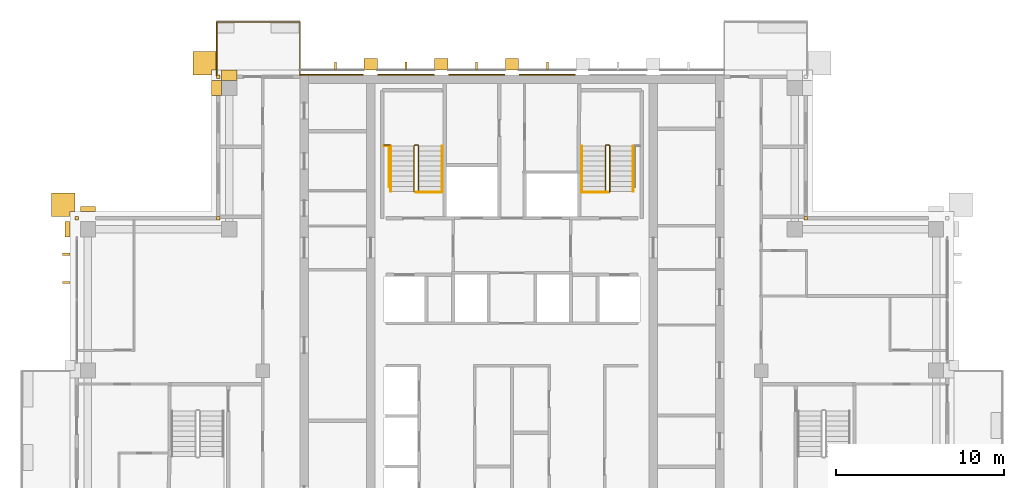
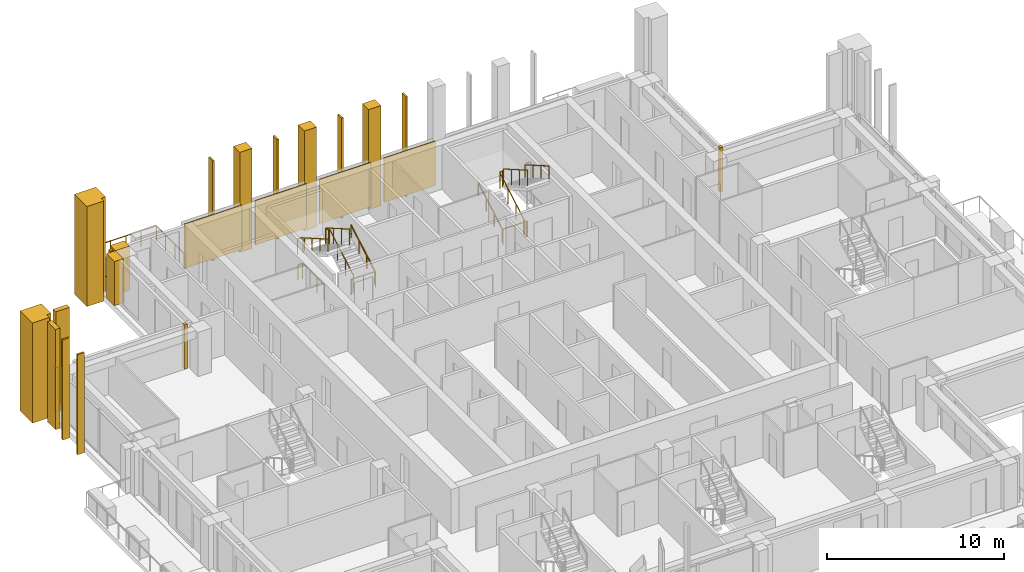
# One storey, part 17 of 18: 23 coverings, 11 railings.
"""IFC4 building model written with IfcOpenShell, lengths in metres."""

from ifc_helpers import new_model, si_unit, direction, frame, origin, origin_2d, place, context, subcontext, project, spatial, polyline, rectangle, outline, extrude, material, layer, layer_set, type_object, element, save


model = new_model("IFC4")

# Units and contexts
model_context = context("Model", 3, precision=1e-05, world=origin(), true_north=direction((0.0, 1.0)))
body_context = subcontext(model_context, "Body", "Model", "MODEL_VIEW")
ifc_project = project(units=[si_unit("LENGTHUNIT", "METRE"), si_unit("AREAUNIT", "SQUARE_METRE"), si_unit("VOLUMEUNIT", "CUBIC_METRE"), si_unit("PLANEANGLEUNIT", "RADIAN"), si_unit("MASSUNIT", "GRAM", prefix="KILO")], contexts=[model_context])

# Site, building, storey
site_placement = place(None, origin())
site = spatial("IfcSite", under=ifc_project, at=site_placement, CompositionType="ELEMENT")
building_placement = place(site_placement, origin())
building = spatial("IfcBuilding", under=site, at=building_placement, Name="Vermilion Ogive Tower", CompositionType="ELEMENT")
storey_placement = place(building_placement, frame((0.0, 0.0, 240.699951171875)))
storey = spatial("IfcBuildingStorey", under=building, at=storey_placement, Name="L63", CompositionType="ELEMENT", Elevation=240.699951171875)

# Railing
ifc_material_1 = material(Name="Stainless steel and glass", Category="steel")
railing_type_1 = type_object("IfcRailingType", Name="Balcony guard", PredefinedType="GUARDRAIL", material=ifc_material_1)
railing_1_placement = place(storey_placement, frame((-12.60009765625, 21.75, -0.0400390625)))
element("IfcRailing", 1, at=railing_1_placement, inside=storey, type_object=railing_type_1, Name="Guard N201", PredefinedType="GUARDRAIL", context=body_context, shape_type="SweptSolid", body=[
    extrude(rectangle(XDim=0.048095703125, YDim=0.048095703125, at=origin_2d()), frame((0.0, 0.0, 1.076171875), z_axis=(0.0, 1.0, 0.0), x_axis=(-1.0, 0.0, 0.0)), (0.0, 0.0, 1.0), 3.159912109375),
    extrude(rectangle(XDim=0.048095703125, YDim=0.048095703125, at=origin_2d()), frame((0.0, 3.159912109375, 1.076171875), z_axis=(-1.0, 0.0, 0.0), x_axis=(0.0, -1.0, 0.0)), (0.0, 0.0, 1.0), 4.949951171875),
    extrude(rectangle(XDim=0.048095703125, YDim=0.048095703125, at=origin_2d()), frame((-4.949951171875, 3.159912109375, 1.076171875), z_axis=(0.0, -1.0, 0.0), x_axis=(1.0, 0.0, 0.0)), (0.0, 0.0, 1.0), 3.159912109375),
    extrude(rectangle(XDim=0.0419921875, YDim=0.0419921875, at=origin_2d()), origin(), (0.0, 0.0, 1.0), 1.052001953125),
    extrude(rectangle(XDim=0.0419921875, YDim=0.0419921875, at=origin_2d()), frame((0.0, 1.05322265625, 0.0)), (0.0, 0.0, 1.0), 1.052001953125),
    extrude(rectangle(XDim=0.0419921875, YDim=0.0419921875, at=origin_2d()), frame((0.0, 2.106689453125, 0.0)), (0.0, 0.0, 1.0), 1.052001953125),
    extrude(rectangle(XDim=0.0419921875, YDim=0.0419921875, at=origin_2d()), frame((0.0, 3.159912109375, 0.0)), (0.0, 0.0, 1.0), 1.052001953125),
    extrude(rectangle(XDim=0.0419921875, YDim=0.0419921875, at=origin_2d()), frame((-0.989990234375, 3.159912109375, 0.0)), (0.0, 0.0, 1.0), 1.052001953125),
    extrude(rectangle(XDim=0.0419921875, YDim=0.0419921875, at=origin_2d()), frame((-1.97998046875, 3.159912109375, 0.0)), (0.0, 0.0, 1.0), 1.052001953125),
    extrude(rectangle(XDim=0.0419921875, YDim=0.0419921875, at=origin_2d()), frame((-2.969970703125, 3.159912109375, 0.0)), (0.0, 0.0, 1.0), 1.052001953125),
    extrude(rectangle(XDim=0.0419921875, YDim=0.0419921875, at=origin_2d()), frame((-3.9599609375, 3.159912109375, 0.0)), (0.0, 0.0, 1.0), 1.052001953125),
    extrude(rectangle(XDim=0.0419921875, YDim=0.0419921875, at=origin_2d()), frame((-4.949951171875, 3.159912109375, 0.0)), (0.0, 0.0, 1.0), 1.052001953125),
    extrude(rectangle(XDim=0.0419921875, YDim=0.0419921875, at=origin_2d()), frame((-4.949951171875, 2.106689453125, 0.0)), (0.0, 0.0, 1.0), 1.052001953125),
    extrude(rectangle(XDim=0.0419921875, YDim=0.0419921875, at=origin_2d()), frame((-4.949951171875, 1.05322265625, 0.0)), (0.0, 0.0, 1.0), 1.052001953125),
    extrude(rectangle(XDim=0.0419921875, YDim=0.0419921875, at=origin_2d()), frame((-4.949951171875, 0.0, 0.0)), (0.0, 0.0, 1.0), 1.052001953125),
])

# Coverings
ifc_material_2 = material(Name="Glazed ceramic screen")
ifc_layer = layer(ifc_material_2, 0.14990234375)
ifc_layer_set = layer_set([ifc_layer], Name="Ceramic solar screen fin")
covering_type_1 = type_object("IfcCoveringType", Name="Ceramic solar screen fin", PredefinedType="CLADDING", material=ifc_layer_set)
covering_1_placement = place(storey_placement, frame((0.0, 0.0, -0.39990234375)))
element("IfcCovering", 2, at=covering_1_placement, inside=storey, type_object=covering_type_1, Name="Solar screen blade W021", PredefinedType="CLADDING", context=body_context, shape_type="SweptSolid", body=[
    extrude(outline(polyline([(-26.699951171875, 11.172607421875), (-26.699951171875, 11.052490234375), (-26.25, 11.052490234375), (-26.25, 11.172607421875), (-26.699951171875, 11.172607421875)])), origin(), (0.0, 0.0, 1.0), 6.89990234375),
])
covering_2_placement = place(storey_placement, frame((0.0, 0.0, -0.39990234375)))
element("IfcCovering", 3, at=covering_2_placement, inside=storey, type_object=covering_type_1, Name="Solar screen blade W022", PredefinedType="CLADDING", context=body_context, shape_type="SweptSolid", body=[
    extrude(outline(polyline([(-26.699951171875, 9.49755859375), (-26.699951171875, 9.37744140625), (-26.25, 9.37744140625), (-26.25, 9.49755859375), (-26.699951171875, 9.49755859375)])), origin(), (0.0, 0.0, 1.0), 6.89990234375),
])
covering_3_placement = place(storey_placement, frame((0.0, 0.0, -0.39990234375)))
element("IfcCovering", 4, at=covering_3_placement, inside=storey, type_object=covering_type_1, Name="Solar screen blade N1", PredefinedType="CLADDING", context=body_context, shape_type="SweptSolid", body=[
    extrude(outline(polyline([(-10.56005859375, 22.08203125), (-10.43994140625, 22.08203125), (-10.43994140625, 22.531982421875), (-10.56005859375, 22.531982421875), (-10.56005859375, 22.08203125)])), origin(), (0.0, 0.0, 1.0), 6.89990234375),
])
covering_4_placement = place(storey_placement, frame((0.0, 0.0, -0.39990234375)))
element("IfcCovering", 5, at=covering_4_placement, inside=storey, type_object=covering_type_1, Name="Solar screen blade N2", PredefinedType="CLADDING", context=body_context, shape_type="SweptSolid", body=[
    extrude(outline(polyline([(-6.360107421875, 22.08203125), (-6.239990234375, 22.08203125), (-6.239990234375, 22.531982421875), (-6.360107421875, 22.531982421875), (-6.360107421875, 22.08203125)])), origin(), (0.0, 0.0, 1.0), 6.89990234375),
])
covering_5_placement = place(storey_placement, frame((0.0, 0.0, -0.39990234375)))
element("IfcCovering", 6, at=covering_5_placement, inside=storey, type_object=covering_type_1, Name="Solar screen blade N3", PredefinedType="CLADDING", context=body_context, shape_type="SweptSolid", body=[
    extrude(outline(polyline([(-2.159912109375, 22.08203125), (-2.0400390625, 22.08203125), (-2.0400390625, 22.531982421875), (-2.159912109375, 22.531982421875), (-2.159912109375, 22.08203125)])), origin(), (0.0, 0.0, 1.0), 6.89990234375),
])
covering_6_placement = place(storey_placement, frame((0.0, 0.0, -0.39990234375)))
element("IfcCovering", 7, at=covering_6_placement, inside=storey, type_object=covering_type_1, Name="Solar screen blade N4", PredefinedType="CLADDING", context=body_context, shape_type="SweptSolid", body=[
    extrude(outline(polyline([(2.0400390625, 22.08203125), (2.159912109375, 22.08203125), (2.159912109375, 22.531982421875), (2.0400390625, 22.531982421875), (2.0400390625, 22.08203125)])), origin(), (0.0, 0.0, 1.0), 6.89990234375),
])

# Railings
ifc_material_3 = material(Name="Steel S355 painted", Category="steel")
railing_type_2 = type_object("IfcRailingType", Name="Stair guard 1100", PredefinedType="GUARDRAIL", material=ifc_material_3)
railing_2_placement = place(storey_placement, frame((-5.75, 14.800048828125, 0.0)))
element("IfcRailing", 8, at=railing_2_placement, inside=storey, type_object=railing_type_2, Name="L63 ST1 stair guard 4", PredefinedType="GUARDRAIL", context=body_context, shape_type="SweptSolid", body=[
    extrude(rectangle(XDim=0.048095703125, YDim=0.048095703125, at=origin_2d()), frame((0.0, 0.0, 1.076171875), z_axis=(1.0, 0.0, 0.0), x_axis=(0.0, 1.0, 0.0)), (0.0, 0.0, 1.0), 0.14990234375),
    extrude(rectangle(XDim=0.048095703125, YDim=0.048095703125, at=origin_2d()), frame((0.14990234375, 0.0, 1.076171875), z_axis=(0.268277960024, 0.268277960024, 0.925231793839), x_axis=(-0.707106781187, 0.707106781187, 0.0)), (0.0, 0.0, 1.0), 0.1865234375),
    extrude(rectangle(XDim=0.048095703125, YDim=0.048095703125, at=origin_2d()), frame((0.199951171875, 0.050048828125, 1.24853515625), z_axis=(0.0, 0.866903762492, 0.498475542607), x_axis=(-1.0, 0.0, 0.0)), (0.0, 0.0, 1.0), 3.114501953125),
    extrude(rectangle(XDim=0.048095703125, YDim=0.048095703125, at=origin_2d()), frame((0.199951171875, 2.75, 2.80126953125), z_axis=(-0.707106781187, 0.707106781187, 0.0), x_axis=(-0.707106781187, -0.707106781187, 0.0)), (0.0, 0.0, 1.0), 0.07080078125),
    extrude(rectangle(XDim=0.048095703125, YDim=0.048095703125, at=origin_2d()), frame((0.14990234375, 2.800048828125, 2.80126953125), z_axis=(-1.0, 0.0, 0.0), x_axis=(0.0, -1.0, 0.0)), (0.0, 0.0, 1.0), 0.14990234375),
    extrude(rectangle(XDim=0.048095703125, YDim=0.048095703125, at=origin_2d()), frame((0.0, 2.800048828125, 2.80126953125), z_axis=(-0.268603158521, -0.268603158521, 0.925043072762), x_axis=(0.707106781187, -0.707106781187, 0.0)), (0.0, 0.0, 1.0), 0.186279296875),
    extrude(rectangle(XDim=0.048095703125, YDim=0.048095703125, at=origin_2d()), frame((-0.050048828125, 2.75, 2.9736328125), z_axis=(0.0, -0.866903762492, 0.498475542607), x_axis=(1.0, 0.0, 0.0)), (0.0, 0.0, 1.0), 3.114501953125),
    extrude(rectangle(XDim=0.0419921875, YDim=0.0419921875, at=origin_2d()), origin(), (0.0, 0.0, 1.0), 1.052001953125),
    extrude(rectangle(XDim=0.0419921875, YDim=0.0419921875, at=origin_2d()), frame((0.14990234375, 0.0, 0.0)), (0.0, 0.0, 1.0), 1.052001953125),
    extrude(rectangle(XDim=0.0419921875, YDim=0.0419921875, at=origin_2d()), frame((0.199951171875, 0.050048828125, 0.172607421875)), (0.0, 0.0, 1.0), 1.052001953125),
    extrude(rectangle(XDim=0.0419921875, YDim=0.0419921875, at=origin_2d()), frame((0.199951171875, 0.949951171875, 0.690185546875)), (0.0, 0.0, 1.0), 1.052001953125),
    extrude(rectangle(XDim=0.0419921875, YDim=0.0419921875, at=origin_2d()), frame((0.199951171875, 1.85009765625, 1.20751953125)), (0.0, 0.0, 1.0), 1.052001953125),
    extrude(rectangle(XDim=0.0419921875, YDim=0.0419921875, at=origin_2d()), frame((0.199951171875, 2.75, 1.72509765625)), (0.0, 0.0, 1.0), 1.052001953125),
    extrude(rectangle(XDim=0.0419921875, YDim=0.0419921875, at=origin_2d()), frame((0.14990234375, 2.800048828125, 1.72509765625)), (0.0, 0.0, 1.0), 1.052001953125),
    extrude(rectangle(XDim=0.0419921875, YDim=0.0419921875, at=origin_2d()), frame((0.0, 2.800048828125, 1.72509765625)), (0.0, 0.0, 1.0), 1.052001953125),
    extrude(rectangle(XDim=0.0419921875, YDim=0.0419921875, at=origin_2d()), frame((-0.050048828125, 2.75, 1.8974609375)), (0.0, 0.0, 1.0), 1.052001953125),
    extrude(rectangle(XDim=0.0419921875, YDim=0.0419921875, at=origin_2d()), frame((-0.050048828125, 1.85009765625, 2.4150390625)), (0.0, 0.0, 1.0), 1.052001953125),
    extrude(rectangle(XDim=0.0419921875, YDim=0.0419921875, at=origin_2d()), frame((-0.050048828125, 0.949951171875, 2.932373046875)), (0.0, 0.0, 1.0), 1.052001953125),
    extrude(rectangle(XDim=0.0419921875, YDim=0.0419921875, at=origin_2d()), frame((-0.050048828125, 0.050048828125, 3.449951171875)), (0.0, 0.0, 1.0), 1.052001953125),
])
railing_3_placement = place(storey_placement, frame((5.75, 14.800048828125, 0.0)))
element("IfcRailing", 9, at=railing_3_placement, inside=storey, type_object=railing_type_2, Name="L63 ST2 stair guard 4", PredefinedType="GUARDRAIL", context=body_context, shape_type="SweptSolid", body=[
    extrude(rectangle(XDim=0.048095703125, YDim=0.048095703125, at=origin_2d()), frame((0.0, 0.0, 1.076171875), z_axis=(-1.0, 0.0, 0.0), x_axis=(0.0, -1.0, 0.0)), (0.0, 0.0, 1.0), 0.14990234375),
    extrude(rectangle(XDim=0.048095703125, YDim=0.048095703125, at=origin_2d()), frame((-0.14990234375, 0.0, 1.076171875), z_axis=(-0.268277960024, 0.268277960024, 0.925231793839), x_axis=(-0.707106781187, -0.707106781187, 0.0)), (0.0, 0.0, 1.0), 0.1865234375),
    extrude(rectangle(XDim=0.048095703125, YDim=0.048095703125, at=origin_2d()), frame((-0.199951171875, 0.050048828125, 1.24853515625), z_axis=(0.0, 0.866903762492, 0.498475542607), x_axis=(-1.0, 0.0, 0.0)), (0.0, 0.0, 1.0), 3.114501953125),
    extrude(rectangle(XDim=0.048095703125, YDim=0.048095703125, at=origin_2d()), frame((-0.199951171875, 2.75, 2.80126953125), z_axis=(0.707106781187, 0.707106781187, 0.0), x_axis=(-0.707106781187, 0.707106781187, 0.0)), (0.0, 0.0, 1.0), 0.07080078125),
    extrude(rectangle(XDim=0.048095703125, YDim=0.048095703125, at=origin_2d()), frame((-0.14990234375, 2.800048828125, 2.80126953125), z_axis=(1.0, 0.0, 0.0), x_axis=(0.0, 1.0, 0.0)), (0.0, 0.0, 1.0), 0.14990234375),
    extrude(rectangle(XDim=0.048095703125, YDim=0.048095703125, at=origin_2d()), frame((0.0, 2.800048828125, 2.80126953125), z_axis=(0.268603158521, -0.268603158521, 0.925043072762), x_axis=(0.707106781187, 0.707106781187, 0.0)), (0.0, 0.0, 1.0), 0.186279296875),
    extrude(rectangle(XDim=0.048095703125, YDim=0.048095703125, at=origin_2d()), frame((0.050048828125, 2.75, 2.9736328125), z_axis=(0.0, -0.866903762492, 0.498475542607), x_axis=(1.0, 0.0, 0.0)), (0.0, 0.0, 1.0), 3.114501953125),
    extrude(rectangle(XDim=0.0419921875, YDim=0.0419921875, at=origin_2d()), origin(), (0.0, 0.0, 1.0), 1.052001953125),
    extrude(rectangle(XDim=0.0419921875, YDim=0.0419921875, at=origin_2d()), frame((-0.14990234375, 0.0, 0.0)), (0.0, 0.0, 1.0), 1.052001953125),
    extrude(rectangle(XDim=0.0419921875, YDim=0.0419921875, at=origin_2d()), frame((-0.199951171875, 0.050048828125, 0.172607421875)), (0.0, 0.0, 1.0), 1.052001953125),
    extrude(rectangle(XDim=0.0419921875, YDim=0.0419921875, at=origin_2d()), frame((-0.199951171875, 0.949951171875, 0.690185546875)), (0.0, 0.0, 1.0), 1.052001953125),
    extrude(rectangle(XDim=0.0419921875, YDim=0.0419921875, at=origin_2d()), frame((-0.199951171875, 1.85009765625, 1.20751953125)), (0.0, 0.0, 1.0), 1.052001953125),
    extrude(rectangle(XDim=0.0419921875, YDim=0.0419921875, at=origin_2d()), frame((-0.199951171875, 2.75, 1.72509765625)), (0.0, 0.0, 1.0), 1.052001953125),
    extrude(rectangle(XDim=0.0419921875, YDim=0.0419921875, at=origin_2d()), frame((-0.14990234375, 2.800048828125, 1.72509765625)), (0.0, 0.0, 1.0), 1.052001953125),
    extrude(rectangle(XDim=0.0419921875, YDim=0.0419921875, at=origin_2d()), frame((0.0, 2.800048828125, 1.72509765625)), (0.0, 0.0, 1.0), 1.052001953125),
    extrude(rectangle(XDim=0.0419921875, YDim=0.0419921875, at=origin_2d()), frame((0.050048828125, 2.75, 1.8974609375)), (0.0, 0.0, 1.0), 1.052001953125),
    extrude(rectangle(XDim=0.0419921875, YDim=0.0419921875, at=origin_2d()), frame((0.050048828125, 1.85009765625, 2.4150390625)), (0.0, 0.0, 1.0), 1.052001953125),
    extrude(rectangle(XDim=0.0419921875, YDim=0.0419921875, at=origin_2d()), frame((0.050048828125, 0.949951171875, 2.932373046875)), (0.0, 0.0, 1.0), 1.052001953125),
    extrude(rectangle(XDim=0.0419921875, YDim=0.0419921875, at=origin_2d()), frame((0.050048828125, 0.050048828125, 3.449951171875)), (0.0, 0.0, 1.0), 1.052001953125),
])
railing_4_placement = place(storey_placement, frame((-7.60009765625, 17.60009765625, 1.72509765625)))
element("IfcRailing", 10, at=railing_4_placement, inside=storey, type_object=railing_type_2, Name="L63 landing guard", PredefinedType="GUARDRAIL", context=body_context, shape_type="SweptSolid", body=[
    extrude(rectangle(XDim=0.048095703125, YDim=0.048095703125, at=origin_2d()), frame((0.0, 0.0, 1.076171875), z_axis=(1.0, 0.0, 0.0), x_axis=(0.0, 1.0, 0.0)), (0.0, 0.0, 1.0), 0.35009765625),
    extrude(rectangle(XDim=0.0419921875, YDim=0.0419921875, at=origin_2d()), origin(), (0.0, 0.0, 1.0), 1.052001953125),
    extrude(rectangle(XDim=0.0419921875, YDim=0.0419921875, at=origin_2d()), frame((0.35009765625, 0.0, 0.0)), (0.0, 0.0, 1.0), 1.052001953125),
])
railing_5_placement = place(storey_placement, frame((-4.159912109375, 14.7900390625, 0.0)))
element("IfcRailing", 11, at=railing_5_placement, inside=storey, type_object=railing_type_2, Name="L63 stair opening guard", PredefinedType="GUARDRAIL", context=body_context, shape_type="SweptSolid", body=[
    extrude(rectangle(XDim=0.048095703125, YDim=0.048095703125, at=origin_2d()), frame((0.0, 0.0, 1.076171875), z_axis=(-1.0, 0.0, 0.0), x_axis=(0.0, -1.0, 0.0)), (0.0, 0.0, 1.0), 1.5400390625),
    extrude(rectangle(XDim=0.0419921875, YDim=0.0419921875, at=origin_2d()), origin(), (0.0, 0.0, 1.0), 1.052001953125),
    extrude(rectangle(XDim=0.0419921875, YDim=0.0419921875, at=origin_2d()), frame((-0.77001953125, 0.0, 0.0)), (0.0, 0.0, 1.0), 1.052001953125),
    extrude(rectangle(XDim=0.0419921875, YDim=0.0419921875, at=origin_2d()), frame((-1.5400390625, 0.0, 0.0)), (0.0, 0.0, 1.0), 1.052001953125),
])
railing_6_placement = place(storey_placement, frame((-7.3095703125, 15.11865234375, 0.0)))
element("IfcRailing", 12, at=railing_6_placement, inside=storey, type_object=railing_type_2, Name="L63 stair opening guard", PredefinedType="GUARDRAIL", context=body_context, shape_type="SweptSolid", body=[
    extrude(rectangle(XDim=0.048095703125, YDim=0.048095703125, at=origin_2d()), frame((0.0, 0.0, 1.076171875), z_axis=(0.0, 1.0, 0.0), x_axis=(-1.0, 0.0, 0.0)), (0.0, 0.0, 1.0), 2.42431640625),
    extrude(rectangle(XDim=0.048095703125, YDim=0.048095703125, at=origin_2d()), frame((0.0, 2.42431640625, 1.076171875), z_axis=(-1.0, 0.0, 0.0), x_axis=(0.0, -1.0, 0.0)), (0.0, 0.0, 1.0), 0.2900390625),
    extrude(rectangle(XDim=0.0419921875, YDim=0.0419921875, at=origin_2d()), origin(), (0.0, 0.0, 1.0), 1.052001953125),
    extrude(rectangle(XDim=0.0419921875, YDim=0.0419921875, at=origin_2d()), frame((0.0, 0.80810546875, 0.0)), (0.0, 0.0, 1.0), 1.052001953125),
    extrude(rectangle(XDim=0.0419921875, YDim=0.0419921875, at=origin_2d()), frame((0.0, 1.6162109375, 0.0)), (0.0, 0.0, 1.0), 1.052001953125),
    extrude(rectangle(XDim=0.0419921875, YDim=0.0419921875, at=origin_2d()), frame((0.0, 2.42431640625, 0.0)), (0.0, 0.0, 1.0), 1.052001953125),
    extrude(rectangle(XDim=0.0419921875, YDim=0.0419921875, at=origin_2d()), frame((-0.2900390625, 2.42431640625, 0.0)), (0.0, 0.0, 1.0), 1.052001953125),
])
railing_7_placement = place(storey_placement, frame((5.699951171875, 14.7900390625, 0.0)))
element("IfcRailing", 13, at=railing_7_placement, inside=storey, type_object=railing_type_2, Name="L63 stair opening guard", PredefinedType="GUARDRAIL", context=body_context, shape_type="SweptSolid", body=[
    extrude(rectangle(XDim=0.048095703125, YDim=0.048095703125, at=origin_2d()), frame((0.0, 0.0, 1.076171875), z_axis=(-1.0, 0.0, 0.0), x_axis=(0.0, -1.0, 0.0)), (0.0, 0.0, 1.0), 1.5400390625),
    extrude(rectangle(XDim=0.0419921875, YDim=0.0419921875, at=origin_2d()), origin(), (0.0, 0.0, 1.0), 1.052001953125),
    extrude(rectangle(XDim=0.0419921875, YDim=0.0419921875, at=origin_2d()), frame((-0.77001953125, 0.0, 0.0)), (0.0, 0.0, 1.0), 1.052001953125),
    extrude(rectangle(XDim=0.0419921875, YDim=0.0419921875, at=origin_2d()), frame((-1.5400390625, 0.0, 0.0)), (0.0, 0.0, 1.0), 1.052001953125),
])
ifc_material_4 = material(Name="Stainless steel", Category="steel")
railing_type_3 = type_object("IfcRailingType", Name="Stair handrail 900", PredefinedType="HANDRAIL", material=ifc_material_4)
railing_8_placement = place(storey_placement, frame((-4.14990234375, 14.85009765625, 0.172607421875)))
element("IfcRailing", 14, at=railing_8_placement, inside=storey, type_object=railing_type_3, Name="L63 ST1 stair handrail 1", PredefinedType="HANDRAIL", context=body_context, shape_type="SweptSolid", body=[
    extrude(rectangle(XDim=0.048095703125, YDim=0.048095703125, at=origin_2d()), frame((0.0, 0.0, 0.8759765625), z_axis=(0.0, 0.866903762492, 0.498475542607), x_axis=(-1.0, 0.0, 0.0)), (0.0, 0.0, 1.0), 3.114501953125),
    extrude(rectangle(XDim=0.0419921875, YDim=0.0419921875, at=origin_2d()), origin(), (0.0, 0.0, 1.0), 0.851806640625),
    extrude(rectangle(XDim=0.0419921875, YDim=0.0419921875, at=origin_2d()), frame((0.0, 0.89990234375, 0.517578125)), (0.0, 0.0, 1.0), 0.851806640625),
    extrude(rectangle(XDim=0.0419921875, YDim=0.0419921875, at=origin_2d()), frame((0.0, 1.800048828125, 1.034912109375)), (0.0, 0.0, 1.0), 0.851806640625),
    extrude(rectangle(XDim=0.0419921875, YDim=0.0419921875, at=origin_2d()), frame((0.0, 2.699951171875, 1.552490234375)), (0.0, 0.0, 1.0), 0.851806640625),
])
railing_9_placement = place(storey_placement, frame((-7.199951171875, 17.550048828125, 1.8974609375)))
element("IfcRailing", 15, at=railing_9_placement, inside=storey, type_object=railing_type_3, Name="L63 ST1 stair handrail 2", PredefinedType="HANDRAIL", context=body_context, shape_type="SweptSolid", body=[
    extrude(rectangle(XDim=0.048095703125, YDim=0.048095703125, at=origin_2d()), frame((0.0, 0.0, 0.8759765625), z_axis=(0.0, -0.866903762492, 0.498475542607), x_axis=(1.0, 0.0, 0.0)), (0.0, 0.0, 1.0), 3.114501953125),
    extrude(rectangle(XDim=0.0419921875, YDim=0.0419921875, at=origin_2d()), origin(), (0.0, 0.0, 1.0), 0.851806640625),
    extrude(rectangle(XDim=0.0419921875, YDim=0.0419921875, at=origin_2d()), frame((0.0, -0.89990234375, 0.517578125)), (0.0, 0.0, 1.0), 0.851806640625),
    extrude(rectangle(XDim=0.0419921875, YDim=0.0419921875, at=origin_2d()), frame((0.0, -1.800048828125, 1.034912109375)), (0.0, 0.0, 1.0), 0.851806640625),
    extrude(rectangle(XDim=0.0419921875, YDim=0.0419921875, at=origin_2d()), frame((0.0, -2.699951171875, 1.552490234375)), (0.0, 0.0, 1.0), 0.851806640625),
])
railing_10_placement = place(storey_placement, frame((4.14990234375, 14.85009765625, 0.172607421875)))
element("IfcRailing", 16, at=railing_10_placement, inside=storey, type_object=railing_type_3, Name="L63 ST2 stair handrail 1", PredefinedType="HANDRAIL", context=body_context, shape_type="SweptSolid", body=[
    extrude(rectangle(XDim=0.048095703125, YDim=0.048095703125, at=origin_2d()), frame((0.0, 0.0, 0.8759765625), z_axis=(0.0, 0.866903762492, 0.498475542607), x_axis=(-1.0, 0.0, 0.0)), (0.0, 0.0, 1.0), 3.114501953125),
    extrude(rectangle(XDim=0.0419921875, YDim=0.0419921875, at=origin_2d()), origin(), (0.0, 0.0, 1.0), 0.851806640625),
    extrude(rectangle(XDim=0.0419921875, YDim=0.0419921875, at=origin_2d()), frame((0.0, 0.89990234375, 0.517578125)), (0.0, 0.0, 1.0), 0.851806640625),
    extrude(rectangle(XDim=0.0419921875, YDim=0.0419921875, at=origin_2d()), frame((0.0, 1.800048828125, 1.034912109375)), (0.0, 0.0, 1.0), 0.851806640625),
    extrude(rectangle(XDim=0.0419921875, YDim=0.0419921875, at=origin_2d()), frame((0.0, 2.699951171875, 1.552490234375)), (0.0, 0.0, 1.0), 0.851806640625),
])
railing_11_placement = place(storey_placement, frame((7.199951171875, 17.550048828125, 1.8974609375)))
element("IfcRailing", 17, at=railing_11_placement, inside=storey, type_object=railing_type_3, Name="L63 ST2 stair handrail 2", PredefinedType="HANDRAIL", context=body_context, shape_type="SweptSolid", body=[
    extrude(rectangle(XDim=0.048095703125, YDim=0.048095703125, at=origin_2d()), frame((0.0, 0.0, 0.8759765625), z_axis=(0.0, -0.866903762492, 0.498475542607), x_axis=(1.0, 0.0, 0.0)), (0.0, 0.0, 1.0), 3.114501953125),
    extrude(rectangle(XDim=0.0419921875, YDim=0.0419921875, at=origin_2d()), origin(), (0.0, 0.0, 1.0), 0.851806640625),
    extrude(rectangle(XDim=0.0419921875, YDim=0.0419921875, at=origin_2d()), frame((0.0, -0.89990234375, 0.517578125)), (0.0, 0.0, 1.0), 0.851806640625),
    extrude(rectangle(XDim=0.0419921875, YDim=0.0419921875, at=origin_2d()), frame((0.0, -1.800048828125, 1.034912109375)), (0.0, 0.0, 1.0), 0.851806640625),
    extrude(rectangle(XDim=0.0419921875, YDim=0.0419921875, at=origin_2d()), frame((0.0, -2.699951171875, 1.552490234375)), (0.0, 0.0, 1.0), 0.851806640625),
])

# Coverings
ifc_material_5 = material(Name="Stone cladding", Category="masonry")
covering_type_2 = type_object("IfcCoveringType", Name="Stone buttress pier", PredefinedType="CLADDING", material=ifc_material_5)
covering_7_placement = place(storey_placement, frame((0.0, 0.0, -0.39990234375)))
element("IfcCovering", 18, at=covering_7_placement, inside=storey, type_object=covering_type_2, Name="Stone buttress pier N1", PredefinedType="CLADDING", context=body_context, shape_type="SweptSolid", body=[
    extrude(outline(polyline([(-8.0, 22.75), (-8.0, 22.050048828125), (-8.800048828125, 22.050048828125), (-8.800048828125, 22.75), (-8.0, 22.75)])), origin(), (0.0, 0.0, 1.0), 6.89990234375),
])
covering_8_placement = place(storey_placement, frame((0.0, 0.0, -0.39990234375)))
element("IfcCovering", 19, at=covering_8_placement, inside=storey, type_object=covering_type_2, Name="Stone buttress pier N2", PredefinedType="CLADDING", context=body_context, shape_type="SweptSolid", body=[
    extrude(outline(polyline([(-3.800048828125, 22.75), (-3.800048828125, 22.050048828125), (-4.60009765625, 22.050048828125), (-4.60009765625, 22.75), (-3.800048828125, 22.75)])), origin(), (0.0, 0.0, 1.0), 6.89990234375),
])
covering_9_placement = place(storey_placement, frame((0.0, 0.0, -0.39990234375)))
element("IfcCovering", 20, at=covering_9_placement, inside=storey, type_object=covering_type_2, Name="Stone buttress pier N3", PredefinedType="CLADDING", context=body_context, shape_type="SweptSolid", body=[
    extrude(outline(polyline([(0.39990234375, 22.75), (0.39990234375, 22.050048828125), (-0.39990234375, 22.050048828125), (-0.39990234375, 22.75), (0.39990234375, 22.75)])), origin(), (0.0, 0.0, 1.0), 6.89990234375),
])
ifc_material_6 = material(Name="Stone cladding", Category="masonry")
covering_type_3 = type_object("IfcCoveringType", Name="Stone cladding panel", PredefinedType="CLADDING", material=ifc_material_6)
covering_10_placement = place(storey_placement, origin())
element("IfcCovering", 21, at=covering_10_placement, inside=storey, type_object=covering_type_3, Name="Stone cladding panel N1", PredefinedType="CLADDING", context=body_context, shape_type="SweptSolid", body=[
    extrude(outline(polyline([(-12.590087890625, 21.75), (-8.830078125, 21.75), (-8.830078125, 21.81005859375), (-12.590087890625, 21.81005859375), (-12.590087890625, 21.75)])), origin(), (0.0, 0.0, 1.0), 3.050048828125),
])
covering_11_placement = place(storey_placement, origin())
element("IfcCovering", 22, at=covering_11_placement, inside=storey, type_object=covering_type_3, Name="Stone cladding panel N2", PredefinedType="CLADDING", context=body_context, shape_type="SweptSolid", body=[
    extrude(outline(polyline([(-7.969970703125, 21.75), (-4.6298828125, 21.75), (-4.6298828125, 21.81005859375), (-7.969970703125, 21.81005859375), (-7.969970703125, 21.75)])), origin(), (0.0, 0.0, 1.0), 3.050048828125),
])
covering_12_placement = place(storey_placement, origin())
element("IfcCovering", 23, at=covering_12_placement, inside=storey, type_object=covering_type_3, Name="Stone cladding panel N3", PredefinedType="CLADDING", context=body_context, shape_type="SweptSolid", body=[
    extrude(outline(polyline([(-3.77001953125, 21.75), (-0.429931640625, 21.75), (-0.429931640625, 21.81005859375), (-3.77001953125, 21.81005859375), (-3.77001953125, 21.75)])), origin(), (0.0, 0.0, 1.0), 3.050048828125),
])
covering_13_placement = place(storey_placement, origin())
element("IfcCovering", 24, at=covering_13_placement, inside=storey, type_object=covering_type_3, Name="Stone cladding panel N4", PredefinedType="CLADDING", context=body_context, shape_type="SweptSolid", body=[
    extrude(outline(polyline([(0.429931640625, 21.75), (3.77001953125, 21.75), (3.77001953125, 21.81005859375), (0.429931640625, 21.81005859375), (0.429931640625, 21.75)])), origin(), (0.0, 0.0, 1.0), 3.050048828125),
])
ifc_material_7 = material(Name="Stone cladding", Category="masonry")
covering_type_4 = type_object("IfcCoveringType", Name="Stone corner buttress", PredefinedType="CLADDING", material=ifc_material_7)
covering_14_placement = place(storey_placement, frame((0.0, 0.0, -0.39990234375)))
element("IfcCovering", 25, at=covering_14_placement, inside=storey, type_object=covering_type_4, Name="Stone corner buttress X51", PredefinedType="CLADDING", context=body_context, shape_type="SweptSolid", body=[
    extrude(outline(polyline([(-17.550048828125, 23.14990234375), (-17.550048828125, 22.050048828125), (-17.85009765625, 22.050048828125), (-17.85009765625, 21.75), (-18.949951171875, 21.75), (-18.949951171875, 23.14990234375), (-17.550048828125, 23.14990234375)])), origin(), (0.0, 0.0, 1.0), 6.89990234375),
])
covering_15_placement = place(storey_placement, frame((0.0, 0.0, -0.39990234375)))
element("IfcCovering", 26, at=covering_15_placement, inside=storey, type_object=covering_type_4, Name="Stone corner buttress W1", PredefinedType="CLADDING", context=body_context, shape_type="SweptSolid", body=[
    extrude(outline(polyline([(-25.949951171875, 13.64990234375), (-26.25, 13.64990234375), (-26.25, 13.35009765625), (-27.35009765625, 13.35009765625), (-27.35009765625, 14.75), (-25.949951171875, 14.75), (-25.949951171875, 13.64990234375)])), origin(), (0.0, 0.0, 1.0), 6.89990234375),
])
ifc_material_8 = material(Name="Stone cladding", Category="masonry")
covering_type_5 = type_object("IfcCoveringType", Name="Stone pier", PredefinedType="CLADDING", material=ifc_material_8)
covering_16_placement = place(storey_placement, origin())
element("IfcCovering", 27, at=covering_16_placement, inside=storey, type_object=covering_type_5, Name="Stone corner pier X3E1", PredefinedType="CLADDING", context=body_context, shape_type="SweptSolid", body=[
    extrude(outline(polyline([(17.35009765625, 13.14990234375), (17.35009765625, 13.35009765625), (17.550048828125, 13.35009765625), (17.550048828125, 13.14990234375), (17.35009765625, 13.14990234375)])), origin(), (0.0, 0.0, 1.0), 3.050048828125),
])
covering_17_placement = place(storey_placement, origin())
element("IfcCovering", 28, at=covering_17_placement, inside=storey, type_object=covering_type_5, Name="Stone corner pier N2E1", PredefinedType="CLADDING", context=body_context, shape_type="SweptSolid", body=[
    extrude(outline(polyline([(-17.35009765625, 21.550048828125), (-17.550048828125, 21.550048828125), (-17.550048828125, 21.75), (-17.35009765625, 21.75), (-17.35009765625, 21.550048828125)])), origin(), (0.0, 0.0, 1.0), 3.050048828125),
])
covering_18_placement = place(storey_placement, origin())
element("IfcCovering", 29, at=covering_18_placement, inside=storey, type_object=covering_type_5, Name="Stone corner pier X5E1", PredefinedType="CLADDING", context=body_context, shape_type="SweptSolid", body=[
    extrude(outline(polyline([(-17.35009765625, 13.14990234375), (-17.550048828125, 13.14990234375), (-17.550048828125, 13.35009765625), (-17.35009765625, 13.35009765625), (-17.35009765625, 13.14990234375)])), origin(), (0.0, 0.0, 1.0), 3.050048828125),
])
covering_19_placement = place(storey_placement, origin())
element("IfcCovering", 30, at=covering_19_placement, inside=storey, type_object=covering_type_5, Name="Stone corner pier X6E1", PredefinedType="CLADDING", context=body_context, shape_type="SweptSolid", body=[
    extrude(outline(polyline([(-25.75, 13.14990234375), (-25.949951171875, 13.14990234375), (-25.949951171875, 13.35009765625), (-25.75, 13.35009765625), (-25.75, 13.14990234375)])), origin(), (0.0, 0.0, 1.0), 3.050048828125),
])
covering_20_placement = place(storey_placement, frame((0.0, 0.0, -0.39990234375)))
element("IfcCovering", 31, at=covering_20_placement, inside=storey, type_object=covering_type_5, Name="Stone pier P-0252+126X6", PredefinedType="CLADDING", context=body_context, shape_type="SweptSolid", body=[
    extrude(outline(polyline([(-25.64990234375, 13.949951171875), (-24.75, 13.949951171875), (-24.75, 13.64990234375), (-25.64990234375, 13.64990234375), (-25.64990234375, 13.949951171875)])), origin(), (0.0, 0.0, 1.0), 6.89990234375),
])
covering_21_placement = place(storey_placement, frame((0.0, 0.0, -0.39990234375)))
element("IfcCovering", 32, at=covering_21_placement, inside=storey, type_object=covering_type_5, Name="Stone pier P-0252+126W", PredefinedType="CLADDING", context=body_context, shape_type="SweptSolid", body=[
    extrude(outline(polyline([(-26.550048828125, 13.050048828125), (-26.25, 13.050048828125), (-26.25, 12.14990234375), (-26.550048828125, 12.14990234375), (-26.550048828125, 13.050048828125)])), origin(), (0.0, 0.0, 1.0), 6.89990234375),
])
covering_22_placement = place(storey_placement, origin())
element("IfcCovering", 33, at=covering_22_placement, inside=storey, type_object=covering_type_5, Name="Stone pier P-0168+210N2", PredefinedType="CLADDING", context=body_context, shape_type="SweptSolid", body=[
    extrude(outline(polyline([(-17.25, 21.449951171875), (-17.25, 22.050048828125), (-16.35009765625, 22.050048828125), (-16.35009765625, 21.449951171875), (-17.25, 21.449951171875), (-17.25, 21.449951171875)])), origin(), (0.0, 0.0, 1.0), 3.050048828125),
])
covering_23_placement = place(storey_placement, origin())
element("IfcCovering", 34, at=covering_23_placement, inside=storey, type_object=covering_type_5, Name="Stone pier P-0168+210X5", PredefinedType="CLADDING", context=body_context, shape_type="SweptSolid", body=[
    extrude(outline(polyline([(-17.85009765625, 21.449951171875), (-17.25, 21.449951171875), (-17.25, 21.449951171875), (-17.25, 20.550048828125), (-17.85009765625, 20.550048828125), (-17.85009765625, 21.449951171875)])), origin(), (0.0, 0.0, 1.0), 3.050048828125),
])

save(model, "model.ifc")
